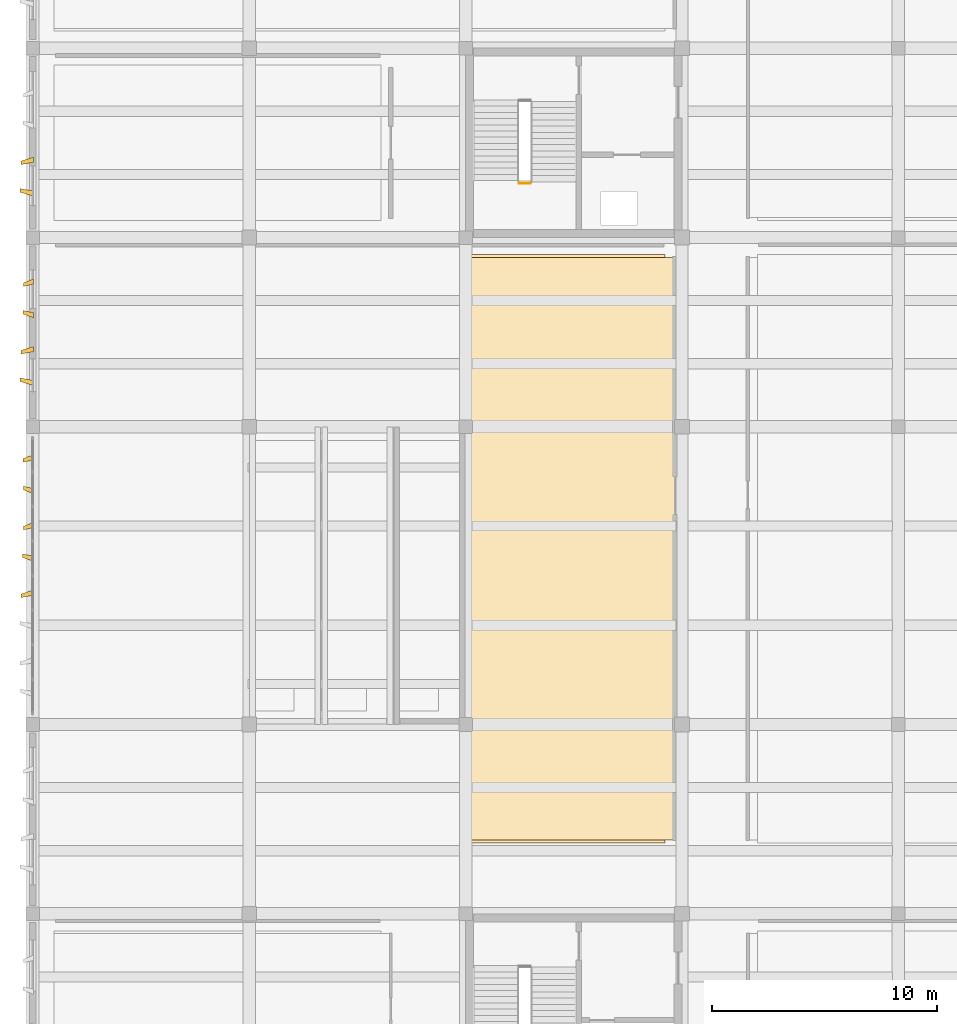
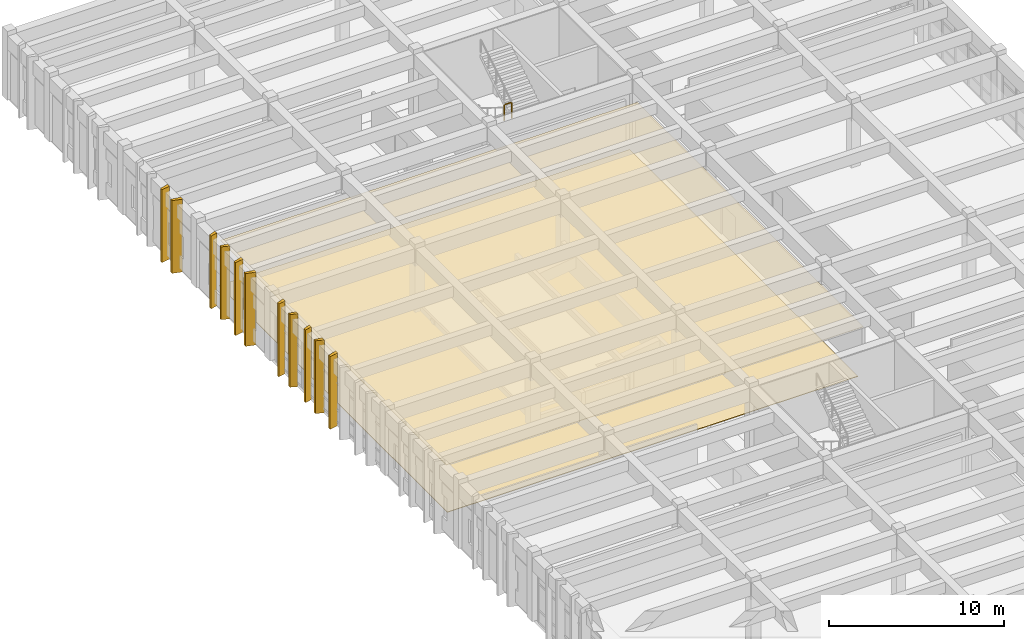
# One storey, part 75 of 86: 13 coverings, 1 railing.
"""IFC4 building model written with IfcOpenShell, lengths in metres."""

from ifc_helpers import new_model, si_unit, direction, frame, origin, origin_2d, place, context, subcontext, project, spatial, polyline, circle, outline, extrude, material, layer, layer_set, type_object, element, save


model = new_model("IFC4")

# Units and contexts
model_context = context("Model", 3, precision=1e-05, world=origin(), true_north=direction((0.0, 1.0)))
body_context = subcontext(model_context, "Body", "Model", "MODEL_VIEW")
ifc_project = project(units=[si_unit("LENGTHUNIT", "METRE"), si_unit("AREAUNIT", "SQUARE_METRE"), si_unit("VOLUMEUNIT", "CUBIC_METRE"), si_unit("PLANEANGLEUNIT", "RADIAN"), si_unit("MASSUNIT", "GRAM", prefix="KILO")], contexts=[model_context])

# Site, building, storey
site_placement = place(None, origin())
site = spatial("IfcSite", under=ifc_project, at=site_placement, CompositionType="ELEMENT")
building_placement = place(site_placement, origin())
building = spatial("IfcBuilding", under=site, at=building_placement, Name="Kolvemor Railside Polytechnic", CompositionType="ELEMENT")
storey_placement = place(building_placement, frame((0.0, 0.0, 5.39990234375)))
storey = spatial("IfcBuildingStorey", under=building, at=storey_placement, Name="L01", CompositionType="ELEMENT", Elevation=5.39990234375)

# Coverings
ifc_material_1 = material(Name="Perforated acoustic mineral-fibre and timber-slat ceiling", Category="wood")
ifc_layer_1 = layer(ifc_material_1, 0.0400390625, Name="COV-CEIL-4")
ifc_layer_set_1 = layer_set([ifc_layer_1], Name="Perforated acoustic mineral-fibre and timber-slat ceiling")
covering_type_1 = type_object("IfcCoveringType", Name="COV-CEIL-4", PredefinedType="CEILING", material=ifc_layer_set_1)
covering_1_placement = place(storey_placement, frame((0.0, 0.0, 3.22021484375)))
element("IfcCovering", 1, at=covering_1_placement, inside=storey, type_object=covering_type_1, Name="Lecture Theatre LT-5 Acoustic Ceiling", PredefinedType="CEILING", context=body_context, shape_type="SweptSolid", body=[
    extrude(outline(polyline([(0.949951171875, 33.280029296875), (28.47998046875, 33.280029296875), (28.47998046875, 59.1201171875), (0.949951171875, 59.1201171875), (0.949951171875, 33.280029296875)])), origin(), (0.0, 0.0, 1.0), 0.039794921875),
])
ifc_material_2 = material(Name="Champagne-bronze PVDF-anodised marine aluminium 5052-H32", Category="aluminium")
ifc_layer_2 = layer(ifc_material_2, 0.179931640625, Name="COV-FIN-CHAMP")
ifc_layer_set_2 = layer_set([ifc_layer_2], Name="Champagne-bronze PVDF-anodised marine aluminium 5052-H32")
covering_type_2 = type_object("IfcCoveringType", Name="COV-FIN-CHAMP", PredefinedType="CLADDING", material=ifc_layer_set_2)
covering_2_placement = place(storey_placement, frame((0.0, 0.0, -0.27978515625)))
element("IfcCovering", 2, at=covering_2_placement, inside=storey, type_object=covering_type_2, Name="Pleated Solar Fin L01-0150", PredefinedType="CLADDING", context=body_context, shape_type="SweptSolid", body=[
    extrude(outline(polyline([(0.034912109375, 44.135009765625), (0.034912109375, 44.364990234375), (-0.512939453125, 44.18994140625), (-0.512939453125, 44.030029296875), (0.034912109375, 44.135009765625)])), origin(), (0.0, 0.0, 1.0), 5.079833984375),
])
covering_3_placement = place(storey_placement, frame((0.0, 0.0, -0.27978515625)))
element("IfcCovering", 3, at=covering_3_placement, inside=storey, type_object=covering_type_2, Name="Pleated Solar Fin L01-0151", PredefinedType="CLADDING", context=body_context, shape_type="SweptSolid", body=[
    extrude(outline(polyline([(0.034912109375, 45.635009765625), (0.034912109375, 45.864990234375), (-0.45703125, 45.969970703125), (-0.45703125, 45.81005859375), (0.034912109375, 45.635009765625)])), origin(), (0.0, 0.0, 1.0), 5.079833984375),
])
covering_4_placement = place(storey_placement, frame((0.0, 0.0, -0.27978515625)))
element("IfcCovering", 4, at=covering_4_placement, inside=storey, type_object=covering_type_2, Name="Pleated Solar Fin L01-0152", PredefinedType="CLADDING", context=body_context, shape_type="SweptSolid", body=[
    extrude(outline(polyline([(0.034912109375, 47.135009765625), (0.034912109375, 47.364990234375), (-0.4150390625, 47.18994140625), (-0.4150390625, 47.030029296875), (0.034912109375, 47.135009765625)])), origin(), (0.0, 0.0, 1.0), 5.079833984375),
])
covering_5_placement = place(storey_placement, frame((0.0, 0.0, -0.27978515625)))
element("IfcCovering", 5, at=covering_5_placement, inside=storey, type_object=covering_type_2, Name="Pleated Solar Fin L01-0153", PredefinedType="CLADDING", context=body_context, shape_type="SweptSolid", body=[
    extrude(outline(polyline([(0.034912109375, 48.635009765625), (0.034912109375, 48.864990234375), (-0.406982421875, 48.969970703125), (-0.406982421875, 48.81005859375), (0.034912109375, 48.635009765625)])), origin(), (0.0, 0.0, 1.0), 5.079833984375),
])
covering_6_placement = place(storey_placement, frame((0.0, 0.0, -0.27978515625)))
element("IfcCovering", 6, at=covering_6_placement, inside=storey, type_object=covering_type_2, Name="Pleated Solar Fin L01-0154", PredefinedType="CLADDING", context=body_context, shape_type="SweptSolid", body=[
    extrude(outline(polyline([(0.034912109375, 50.135009765625), (0.034912109375, 50.364990234375), (-0.43701171875, 50.18994140625), (-0.43701171875, 50.030029296875), (0.034912109375, 50.135009765625)])), origin(), (0.0, 0.0, 1.0), 5.079833984375),
])
covering_7_placement = place(storey_placement, frame((0.0, 0.0, -0.27978515625)))
element("IfcCovering", 7, at=covering_7_placement, inside=storey, type_object=covering_type_2, Name="Pleated Solar Fin L01-0195", PredefinedType="CLADDING", context=body_context, shape_type="SweptSolid", body=[
    extrude(outline(polyline([(0.034912109375, 53.43505859375), (0.034912109375, 53.6650390625), (-0.56396484375, 53.77001953125), (-0.56396484375, 53.610107421875), (0.034912109375, 53.43505859375)])), origin(), (0.0, 0.0, 1.0), 5.079833984375),
])
covering_8_placement = place(storey_placement, frame((0.0, 0.0, -0.27978515625)))
element("IfcCovering", 8, at=covering_8_placement, inside=storey, type_object=covering_type_2, Name="Pleated Solar Fin L01-0196", PredefinedType="CLADDING", context=body_context, shape_type="SweptSolid", body=[
    extrude(outline(polyline([(0.034912109375, 54.93505859375), (0.034912109375, 55.1650390625), (-0.528076171875, 54.989990234375), (-0.528076171875, 54.830078125), (0.034912109375, 54.93505859375)])), origin(), (0.0, 0.0, 1.0), 5.079833984375),
])
covering_9_placement = place(storey_placement, frame((0.0, 0.0, -0.27978515625)))
element("IfcCovering", 9, at=covering_9_placement, inside=storey, type_object=covering_type_2, Name="Pleated Solar Fin L01-0197", PredefinedType="CLADDING", context=body_context, shape_type="SweptSolid", body=[
    extrude(outline(polyline([(0.034912109375, 56.43505859375), (0.034912109375, 56.6650390625), (-0.44189453125, 56.77001953125), (-0.44189453125, 56.610107421875), (0.034912109375, 56.43505859375)])), origin(), (0.0, 0.0, 1.0), 5.079833984375),
])
covering_10_placement = place(storey_placement, frame((0.0, 0.0, -0.27978515625)))
element("IfcCovering", 10, at=covering_10_placement, inside=storey, type_object=covering_type_2, Name="Pleated Solar Fin L01-0198", PredefinedType="CLADDING", context=body_context, shape_type="SweptSolid", body=[
    extrude(outline(polyline([(0.034912109375, 57.93505859375), (0.034912109375, 58.1650390625), (-0.406005859375, 57.989990234375), (-0.406005859375, 57.830078125), (0.034912109375, 57.93505859375)])), origin(), (0.0, 0.0, 1.0), 5.079833984375),
])
covering_11_placement = place(storey_placement, frame((0.0, 0.0, -0.27978515625)))
element("IfcCovering", 11, at=covering_11_placement, inside=storey, type_object=covering_type_2, Name="Pleated Solar Fin L01-0220", PredefinedType="CLADDING", context=body_context, shape_type="SweptSolid", body=[
    extrude(outline(polyline([(0.034912109375, 61.8349609375), (0.034912109375, 62.06494140625), (-0.56396484375, 62.169921875), (-0.56396484375, 62.010009765625), (0.034912109375, 61.8349609375)])), origin(), (0.0, 0.0, 1.0), 5.079833984375),
])
covering_12_placement = place(storey_placement, frame((0.0, 0.0, -0.27978515625)))
element("IfcCovering", 12, at=covering_12_placement, inside=storey, type_object=covering_type_2, Name="Pleated Solar Fin L01-0221", PredefinedType="CLADDING", context=body_context, shape_type="SweptSolid", body=[
    extrude(outline(polyline([(0.034912109375, 63.3349609375), (0.034912109375, 63.56494140625), (-0.528076171875, 63.389892578125), (-0.528076171875, 63.22998046875), (0.034912109375, 63.3349609375)])), origin(), (0.0, 0.0, 1.0), 5.079833984375),
])
ifc_material_3 = material(Name="Polished coral-aggregate terrazzo and laboratory epoxy flooring")
ifc_layer_3 = layer(ifc_material_3, 0.034912109375, Name="COV-FLR-4")
ifc_layer_set_3 = layer_set([ifc_layer_3], Name="Polished coral-aggregate terrazzo and laboratory epoxy flooring")
covering_type_3 = type_object("IfcCoveringType", Name="COV-FLR-4", PredefinedType="FLOORING", material=ifc_layer_set_3)
covering_13_placement = place(storey_placement, origin())
element("IfcCovering", 13, at=covering_13_placement, inside=storey, type_object=covering_type_3, Name="Lecture Theatre LT-5 Floor Finish", PredefinedType="FLOORING", context=body_context, shape_type="SweptSolid", body=[
    extrude(outline(polyline([(0.949951171875, 33.14990234375), (28.050048828125, 33.14990234375), (28.050048828125, 59.25), (0.949951171875, 59.25), (0.949951171875, 33.14990234375)])), origin(), (0.0, 0.0, 1.0), 0.03515625),
])

# Railing
ifc_material_4 = material(Name="AISI 316 marine stainless-steel balustrade guard", Category="steel")
railing_type = type_object("IfcRailingType", Name="RLG-GUARD-1120", PredefinedType="BALUSTRADE", material=ifc_material_4)
railing_placement = place(storey_placement, frame((21.580078125, 62.405029296875, 2.400146484375)))
element("IfcRailing", 14, at=railing_placement, inside=storey, type_object=railing_type, Name="ST-5 Half-Landing Slot Guard L01", PredefinedType="BALUSTRADE", context=body_context, shape_type="SweptSolid", body=[
    extrude(circle(Radius=0.02392578125, at=origin_2d()), frame((0.054931640625, 0.0, 1.09619140625), z_axis=(1.0, 0.0, 0.0), x_axis=(0.0, 1.0, 0.0)), (0.0, 0.0, 1.0), 0.389892578125),
    extrude(circle(Radius=0.02099609375, at=origin_2d()), origin(), (0.0, 0.0, 1.0), 1.05712890625),
    extrude(circle(Radius=0.02099609375, at=origin_2d()), frame((0.5, 0.0, 0.0)), (0.0, 0.0, 1.0), 1.05712890625),
])

save(model, "model.ifc")
